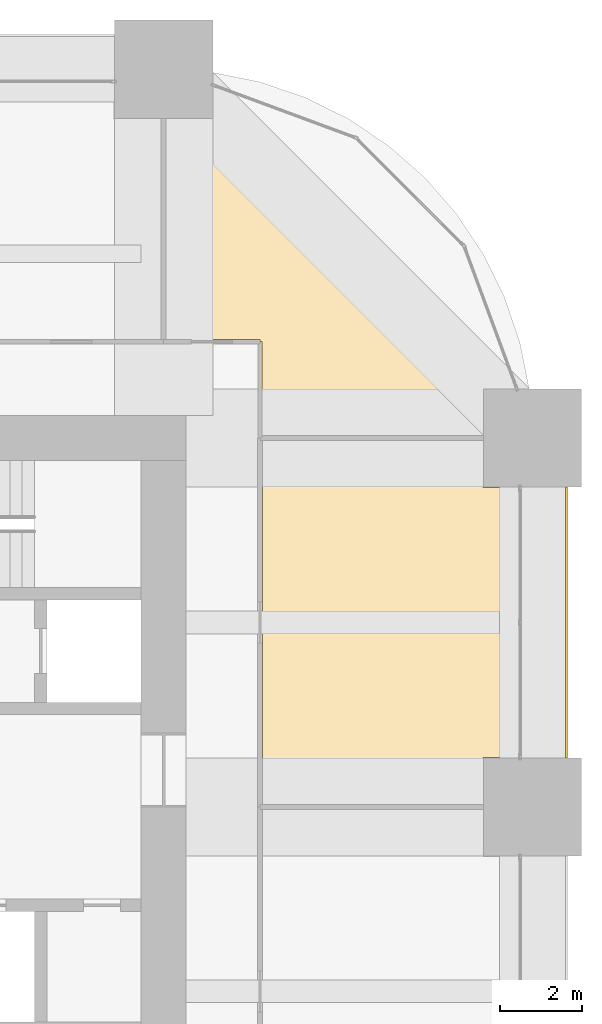
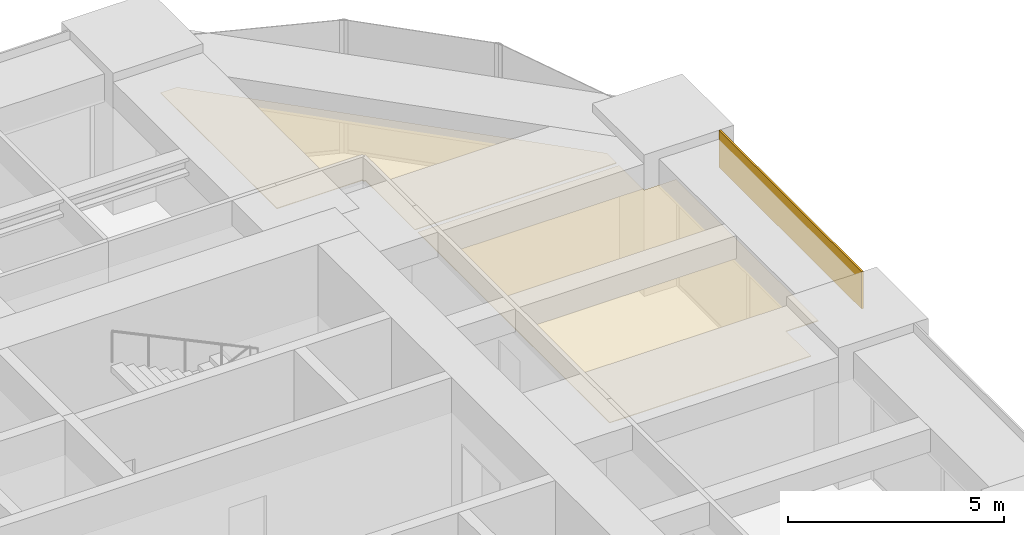
# One storey, part 35 of 35: 3 coverings.
"""IFC4 building model written with IfcOpenShell, lengths in metres."""

from ifc_helpers import new_model, si_unit, direction, frame, frame_2d, origin, place, context, subcontext, project, spatial, polyline, rectangle, outline, extrude, material, layer, layer_set, type_object, element, save


model = new_model("IFC4")

# Units and contexts
model_context = context("Model", 3, precision=1e-05, world=origin(), true_north=direction((0.0, 1.0)))
body_context = subcontext(model_context, "Body", "Model", "MODEL_VIEW")
ifc_project = project(units=[si_unit("LENGTHUNIT", "METRE"), si_unit("AREAUNIT", "SQUARE_METRE"), si_unit("VOLUMEUNIT", "CUBIC_METRE"), si_unit("PLANEANGLEUNIT", "RADIAN"), si_unit("MASSUNIT", "GRAM", prefix="KILO")], contexts=[model_context])

# Site, building, storey
site_placement = place(None, origin())
site = spatial("IfcSite", under=ifc_project, at=site_placement, CompositionType="ELEMENT")
building_placement = place(site_placement, origin())
building = spatial("IfcBuilding", under=site, at=building_placement, Name="Zorevar Civic Tower", CompositionType="ELEMENT")
storey_placement = place(building_placement, frame((0.0, 0.0, 222.199951171875)))
storey = spatial("IfcBuildingStorey", under=building, at=storey_placement, Name="L54", CompositionType="ELEMENT", Elevation=222.199951171875)

# Coverings
ifc_material_1 = material(Name="Black anodised aluminium spandrel panel", Category="aluminium")
ifc_layer_1 = layer(ifc_material_1, 0.050048828125)
ifc_layer_set_1 = layer_set([ifc_layer_1], Name="Spandrel cladding SP1")
covering_type_1 = type_object("IfcCoveringType", Name="Spandrel cladding SP1", PredefinedType="CLADDING", material=ifc_layer_set_1)
covering_1_placement = place(storey_placement, frame((54.824951171875, 28.199951171875, 2.949951171875), z_axis=(0.0, 0.0, 1.0), x_axis=(0.0, 1.0, 0.0)))
element("IfcCovering", 1, at=covering_1_placement, inside=storey, type_object=covering_type_1, Name="Spandrel cladding L55", PredefinedType="CLADDING", context=body_context, shape_type="SweptSolid", body=[
    extrude(rectangle(XDim=6.60009765625, YDim=0.050048828125, at=frame_2d((3.300048828125, 0.0))), origin(), (0.0, 0.0, 1.0), 1.050048828125),
])
ifc_material_2 = material(Name="Mineral fibre tiles on a concealed grid")
ifc_layer_2 = layer(ifc_material_2, 0.02001953125)
ifc_layer_set_2 = layer_set([ifc_layer_2], Name="Suspended ceiling SC1")
covering_type_2 = type_object("IfcCoveringType", Name="Suspended ceiling SC1", PredefinedType="CEILING", material=ifc_layer_set_2)
covering_2_placement = place(storey_placement, frame((0.0, 0.0, 3.0)))
element("IfcCovering", 2, at=covering_2_placement, inside=storey, type_object=covering_type_2, Name="Ceiling L54-33", PredefinedType="CEILING", context=body_context, shape_type="SweptSolid", body=[
    extrude(outline(polyline([(53.64990234375, 28.2099609375), (52.7900390625, 28.2099609375), (52.7900390625, 27.06005859375), (47.409912109375, 27.06005859375), (47.409912109375, 35.93994140625), (52.7900390625, 35.93994140625), (52.7900390625, 34.7900390625), (53.64990234375, 34.7900390625), (53.64990234375, 28.2099609375)])), origin(), (0.0, 0.0, 1.0), 0.02001953125),
])
covering_3_placement = place(storey_placement, frame((0.0, 0.0, 3.0)))
element("IfcCovering", 3, at=covering_3_placement, inside=storey, type_object=covering_type_2, Name="Ceiling L54-45", PredefinedType="CEILING", context=body_context, shape_type="SweptSolid", body=[
    extrude(outline(polyline([(47.3505859375, 38.40087890625), (45.06103515625, 38.40087890625), (45.06103515625, 43.7900390625), (45.5029296875, 43.7900390625), (52.7900390625, 36.5029296875), (52.7900390625, 36.06005859375), (47.39990234375, 36.06005859375), (47.40087890625, 38.35009765625), (47.35107421875, 38.35107421875), (47.3505859375, 38.40087890625)])), origin(), (0.0, 0.0, 1.0), 0.02001953125),
])

save(model, "model.ifc")
